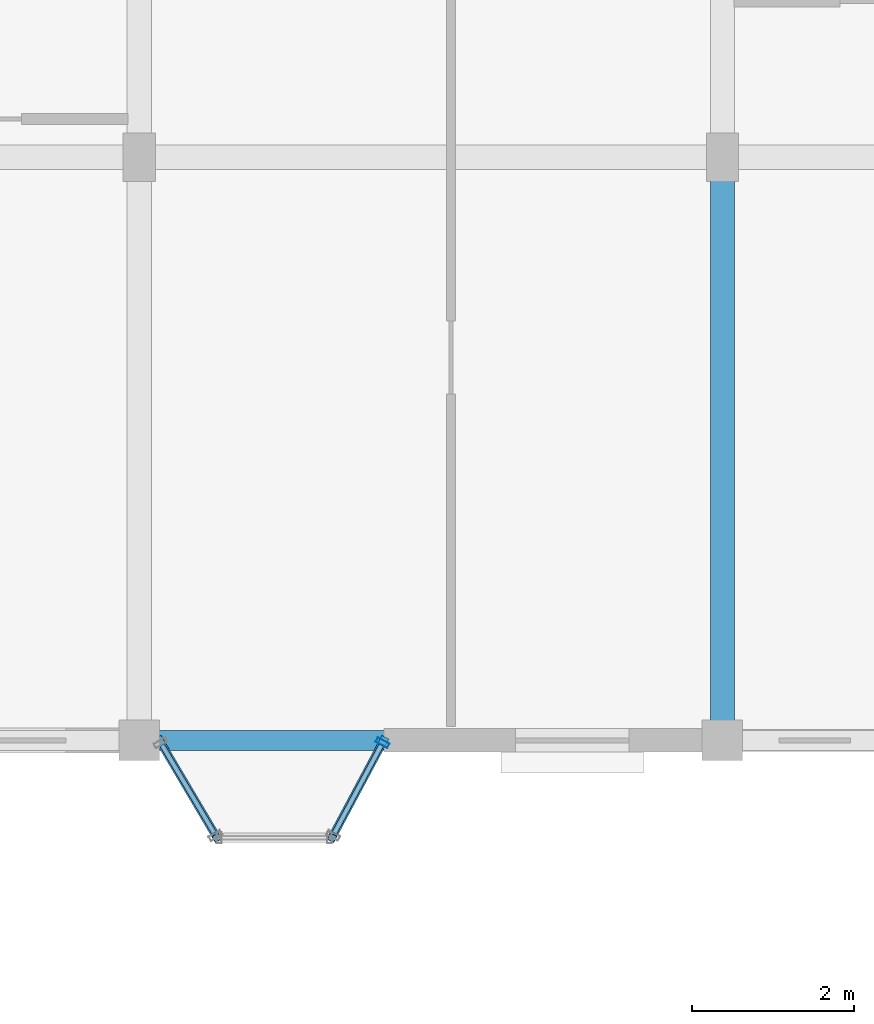
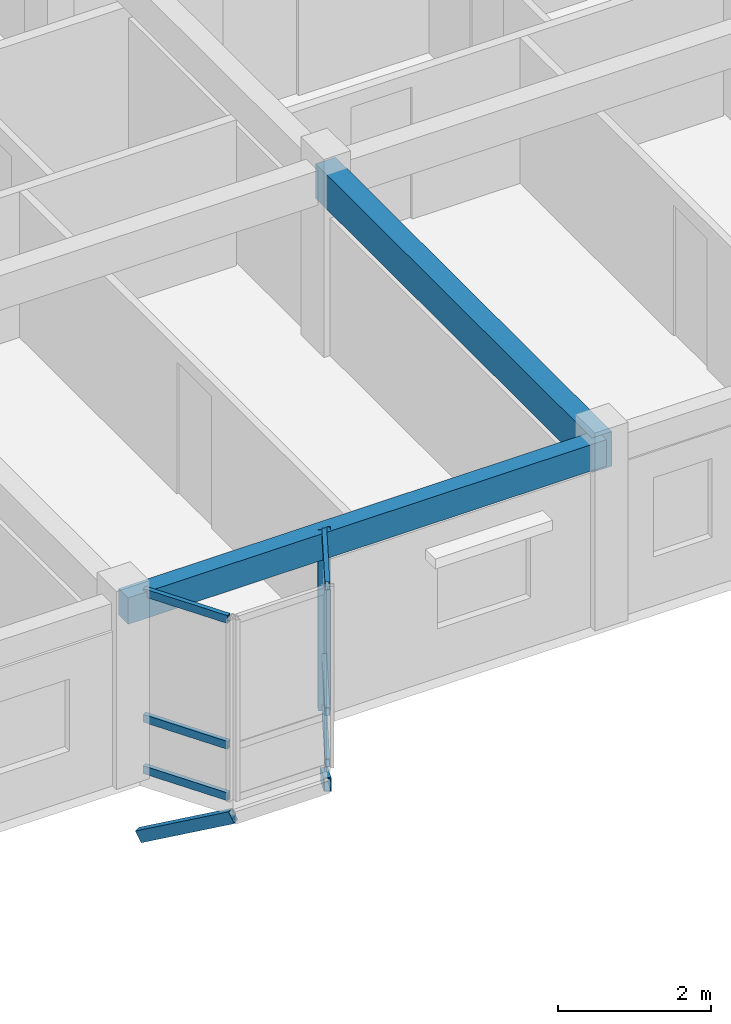
# One storey, part 29 of 65: 9 members, 2 beams, 2 elements without a shape of their own.
"""IFC4 building model written with IfcOpenShell, lengths in metres."""

from ifc_helpers import new_model, si_unit, direction, frame, origin, origin_2d, place, context, subcontext, project, spatial, rectangle, hollow_rectangle, extrude, material, layer, layer_set, material_profile, profile_set, type_object, element, aggregate, save


model = new_model("IFC4")

# Units and contexts
model_context = context("Model", 3, precision=1e-05, world=origin(), true_north=direction((0.0, 1.0)))
body_context = subcontext(model_context, "Body", "Model", "MODEL_VIEW")
ifc_project = project(units=[si_unit("LENGTHUNIT", "METRE"), si_unit("AREAUNIT", "SQUARE_METRE"), si_unit("VOLUMEUNIT", "CUBIC_METRE"), si_unit("PLANEANGLEUNIT", "RADIAN"), si_unit("MASSUNIT", "GRAM", prefix="KILO"), si_unit("THERMODYNAMICTEMPERATUREUNIT", "KELVIN"), si_unit("POWERUNIT", "WATT")], contexts=[model_context])

# Site, building, storey
site_placement = place(None, origin())
site = spatial("IfcSite", under=ifc_project, at=site_placement, CompositionType="ELEMENT")
building_placement = place(site_placement, origin())
building = spatial("IfcBuilding", under=site, at=building_placement, Name="Tavuni Mirador Residences", CompositionType="ELEMENT")
storey_placement = place(building_placement, frame((0.0, 0.0, 29.699951171875)))
storey = spatial("IfcBuildingStorey", under=building, at=storey_placement, Name="L09", CompositionType="ELEMENT", Elevation=29.699951171875)

# Beams
ifc_material_1 = material(Name="Precast concrete C40/50", Category="concrete")
ifc_material_profile_1 = material_profile(ifc_material_1, rectangle(XDim=0.300048828125, YDim=0.550048828125, at=origin_2d()), Name="PC 300x550", Category="concrete")
ifc_profile_set_1 = profile_set([ifc_material_profile_1], Name="Precast concrete C40/50")
beam_type_1 = type_object("IfcBeamType", Name="BT-B550", PredefinedType="BEAM", material=ifc_profile_set_1)
beam_1_placement = place(storey_placement, frame((25.199951171875, 144.0, 2.610107421875), z_axis=(0.0, 1.0, 0.0), x_axis=(-1.0, 0.0, 0.0)))
element("IfcBeam", 1, at=beam_1_placement, inside=storey, type_object=beam_type_1, Name="BMY-BLK-C-L09-02-00", PredefinedType="BEAM", context=body_context, shape_type="SweptSolid", body=[
    extrude(rectangle(XDim=0.300048828125, YDim=0.550048828125, at=origin_2d()), origin(), (0.0, 0.0, 1.0), 7.199951171875),
])
ifc_material_profile_2 = material_profile(ifc_material_1, rectangle(XDim=0.25, YDim=0.419921875, at=origin_2d()), Name="PC 250x420", Category="concrete")
ifc_profile_set_2 = profile_set([ifc_material_profile_2], Name="Precast concrete C40/50")
beam_type_2 = type_object("IfcBeamType", Name="BT-SP420", PredefinedType="SPANDREL", material=ifc_profile_set_2)
beam_2_placement = place(storey_placement, frame((18.0, 144.0, 2.675048828125), z_axis=(1.0, 0.0, 0.0), x_axis=(0.0, 1.0, 0.0)))
element("IfcBeam", 2, at=beam_2_placement, inside=storey, type_object=beam_type_2, Name="BMX-BLK-C-L09-01-00", PredefinedType="SPANDREL", context=body_context, shape_type="SweptSolid", body=[
    extrude(rectangle(XDim=0.25, YDim=0.419921875, at=origin_2d()), origin(), (0.0, 0.0, 1.0), 7.199951171875),
])

# Curtain wall, member
ifc_material_2 = material(Name="Anodised aluminium", Category="aluminium")
ifc_layer_1 = layer(ifc_material_2, 0.159912109375, Name="Anodised aluminium", Category="aluminium")
ifc_layer_set_1 = layer_set([ifc_layer_1], Name="Anodised aluminium")
curtain_wall_type_1 = type_object("IfcCurtainWallType", Name="CWT-MIR-D", PredefinedType="NOTDEFINED", material=ifc_layer_set_1)
curtain_wall_1_placement = place(storey_placement, origin())
curtain_wall_1 = element("IfcCurtainWall", 3, at=curtain_wall_1_placement, inside=storey, type_object=curtain_wall_type_1, Name="CW-MIR-C-S1-L09-M2", PredefinedType="NOTDEFINED")
ifc_material_profile_3 = material_profile(ifc_material_2, hollow_rectangle(XDim=0.06494140625, YDim=0.1650390625, WallThickness=0.00439453125, at=origin_2d()), Name="ALU 65x165x4.5", Category="aluminium")
ifc_profile_set_3 = profile_set([ifc_material_profile_3], Name="Anodised aluminium")
member_type_1 = type_object("IfcMemberType", Name="CWM-165", PredefinedType="MULLION", material=ifc_profile_set_3)
member_1_placement = place(storey_placement, frame((21.004638671875, 143.971435546875, 0.0), z_axis=(0.0, 0.0, 1.0), x_axis=(0.470588235296, 0.882352941175, 0.0)))
member_1 = element("IfcMember", 4, at=member_1_placement, type_object=member_type_1, Name="CW-04 mullion 2", PredefinedType="MULLION", context=body_context, shape_type="SweptSolid", body=[
    extrude(hollow_rectangle(XDim=0.06494140625, YDim=0.1650390625, WallThickness=0.00439453125, at=origin_2d()), origin(), (0.0, 0.0, 1.0), 2.885009765625),
])

# Curtain wall, members
ifc_layer_2 = layer(ifc_material_2, 0.14990234375, Name="Anodised aluminium", Category="aluminium")
ifc_layer_set_2 = layer_set([ifc_layer_2], Name="Anodised aluminium")
curtain_wall_type_2 = type_object("IfcCurtainWallType", Name="CWT-MIR-B", PredefinedType="NOTDEFINED", material=ifc_layer_set_2)
curtain_wall_2_placement = place(storey_placement, origin())
curtain_wall_2 = element("IfcCurtainWall", 5, at=curtain_wall_2_placement, inside=storey, type_object=curtain_wall_type_2, Name="CW-MIR-C-S1-L09-M1", PredefinedType="NOTDEFINED")
ifc_material_profile_4 = material_profile(ifc_material_2, hollow_rectangle(XDim=0.06494140625, YDim=0.125, WallThickness=0.00439453125, at=origin_2d()), Name="ALU 65x125x4.5", Category="aluminium")
ifc_profile_set_4 = profile_set([ifc_material_profile_4], Name="Anodised aluminium")
member_type_2 = type_object("IfcMemberType", Name="CWT-125", PredefinedType="USERDEFINED", material=ifc_profile_set_4)
member_2_placement = place(storey_placement, frame((18.283203125, 143.944091796875, 0.032470703125), z_axis=(0.509204147839, -0.860645766749, 0.0), x_axis=(0.860645766749, 0.509204147839, 0.0)))
member_2 = element("IfcMember", 6, at=member_2_placement, type_object=member_type_2, Name="CW-02 transom 1.1", ObjectType="TRANSOM", PredefinedType="USERDEFINED", context=body_context, shape_type="SweptSolid", body=[
    extrude(hollow_rectangle(XDim=0.06494140625, YDim=0.125, WallThickness=0.00439453125, at=origin_2d()), origin(), (0.0, 0.0, 1.0), 1.264404296875),
])
member_3_placement = place(storey_placement, frame((18.283203125, 143.944091796875, 0.85009765625), z_axis=(0.509204147839, -0.860645766749, 0.0), x_axis=(0.860645766749, 0.509204147839, 0.0)))
member_3 = element("IfcMember", 7, at=member_3_placement, type_object=member_type_2, Name="CW-02 transom 1.2", ObjectType="TRANSOM", PredefinedType="USERDEFINED", context=body_context, shape_type="SweptSolid", body=[
    extrude(hollow_rectangle(XDim=0.06494140625, YDim=0.125, WallThickness=0.00439453125, at=origin_2d()), origin(), (0.0, 0.0, 1.0), 1.264404296875),
])
member_4_placement = place(storey_placement, frame((18.283203125, 143.944091796875, 2.8525390625), z_axis=(0.509204147839, -0.860645766749, 0.0), x_axis=(0.860645766749, 0.509204147839, 0.0)))
member_4 = element("IfcMember", 8, at=member_4_placement, type_object=member_type_2, Name="CW-02 transom 1.3", ObjectType="TRANSOM", PredefinedType="USERDEFINED", context=body_context, shape_type="SweptSolid", body=[
    extrude(hollow_rectangle(XDim=0.06494140625, YDim=0.125, WallThickness=0.00439453125, at=origin_2d()), origin(), (0.0, 0.0, 1.0), 1.264404296875),
])
aggregate(curtain_wall_2, [member_2, member_3, member_4])

# Member
member_5_placement = place(storey_placement, frame((20.41064453125, 142.857421875, 0.032470703125), z_axis=(0.470639747922, 0.882325465843, 0.0), x_axis=(-0.882325465843, 0.470639747922, 0.0)))
member_5 = element("IfcMember", 9, at=member_5_placement, type_object=member_type_2, Name="CW-04 transom 1.1", ObjectType="TRANSOM", PredefinedType="USERDEFINED", context=body_context, shape_type="SweptSolid", body=[
    extrude(hollow_rectangle(XDim=0.06494140625, YDim=0.125, WallThickness=0.00439453125, at=origin_2d()), origin(), (0.0, 0.0, 1.0), 1.22998046875),
])

member_6_placement = place(storey_placement, frame((20.41064453125, 142.857421875, 0.85009765625), z_axis=(0.470639747922, 0.882325465843, 0.0), x_axis=(-0.882325465843, 0.470639747922, 0.0)))
member_6 = element("IfcMember", 10, at=member_6_placement, type_object=member_type_2, Name="CW-04 transom 1.2", ObjectType="TRANSOM", PredefinedType="USERDEFINED", context=body_context, shape_type="SweptSolid", body=[
    extrude(hollow_rectangle(XDim=0.06494140625, YDim=0.125, WallThickness=0.00439453125, at=origin_2d()), origin(), (0.0, 0.0, 1.0), 1.22998046875),
])

member_7_placement = place(storey_placement, frame((20.41064453125, 142.857421875, 2.8525390625), z_axis=(0.470639747922, 0.882325465843, 0.0), x_axis=(-0.882325465843, 0.470639747922, 0.0)))
member_7 = element("IfcMember", 11, at=member_7_placement, type_object=member_type_2, Name="CW-04 transom 1.3", ObjectType="TRANSOM", PredefinedType="USERDEFINED", context=body_context, shape_type="SweptSolid", body=[
    extrude(hollow_rectangle(XDim=0.06494140625, YDim=0.125, WallThickness=0.00439453125, at=origin_2d()), origin(), (0.0, 0.0, 1.0), 1.22998046875),
])

aggregate(curtain_wall_1, [member_1, member_5, member_6, member_7])

# Members
ifc_material_3 = material(Name="Structural steel S355", Category="steel")
ifc_material_profile_5 = material_profile(ifc_material_3, hollow_rectangle(XDim=0.10009765625, YDim=0.179931640625, WallThickness=0.008056640625, at=origin_2d()), Name="RHS 180x100x8.0", Category="steel")
ifc_profile_set_5 = profile_set([ifc_material_profile_5], Name="Structural steel S355")
member_type_3 = type_object("IfcMemberType", Name="MT-BR-RHS180", PredefinedType="BRACE", material=ifc_profile_set_5)
member_8_placement = place(storey_placement, frame((18.25, 144.0, -1.050048828125), z_axis=(0.443691124558, -0.749911237002, 0.490684544903), x_axis=(0.860644027762, 0.509207087026, 0.0)))
element("IfcMember", 12, at=member_8_placement, inside=storey, type_object=member_type_3, Name="MBRK-MIR-C-S1-L09-1", PredefinedType="BRACE", context=body_context, shape_type="SweptSolid", body=[
    extrude(hollow_rectangle(XDim=0.10009765625, YDim=0.179931640625, WallThickness=0.008056640625, at=origin_2d()), origin(), (0.0, 0.0, 1.0), 1.60009765625),
])
member_9_placement = place(storey_placement, frame((21.02001953125, 144.0, -1.050048828125), z_axis=(-0.4076288534, -0.764109769055, 0.499974978084), x_axis=(0.882303244255, -0.470681405175, 0.0)))
element("IfcMember", 13, at=member_9_placement, inside=storey, type_object=member_type_3, Name="MBRK-MIR-C-S1-L09-2", PredefinedType="BRACE", context=body_context, shape_type="SweptSolid", body=[
    extrude(hollow_rectangle(XDim=0.10009765625, YDim=0.179931640625, WallThickness=0.008056640625, at=origin_2d()), origin(), (0.0, 0.0, 1.0), 1.5703125),
])

save(model, "model.ifc")
